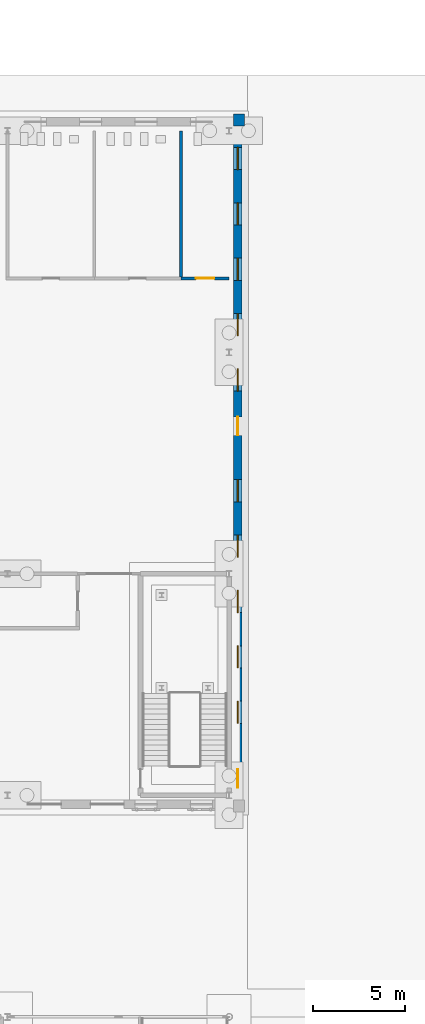
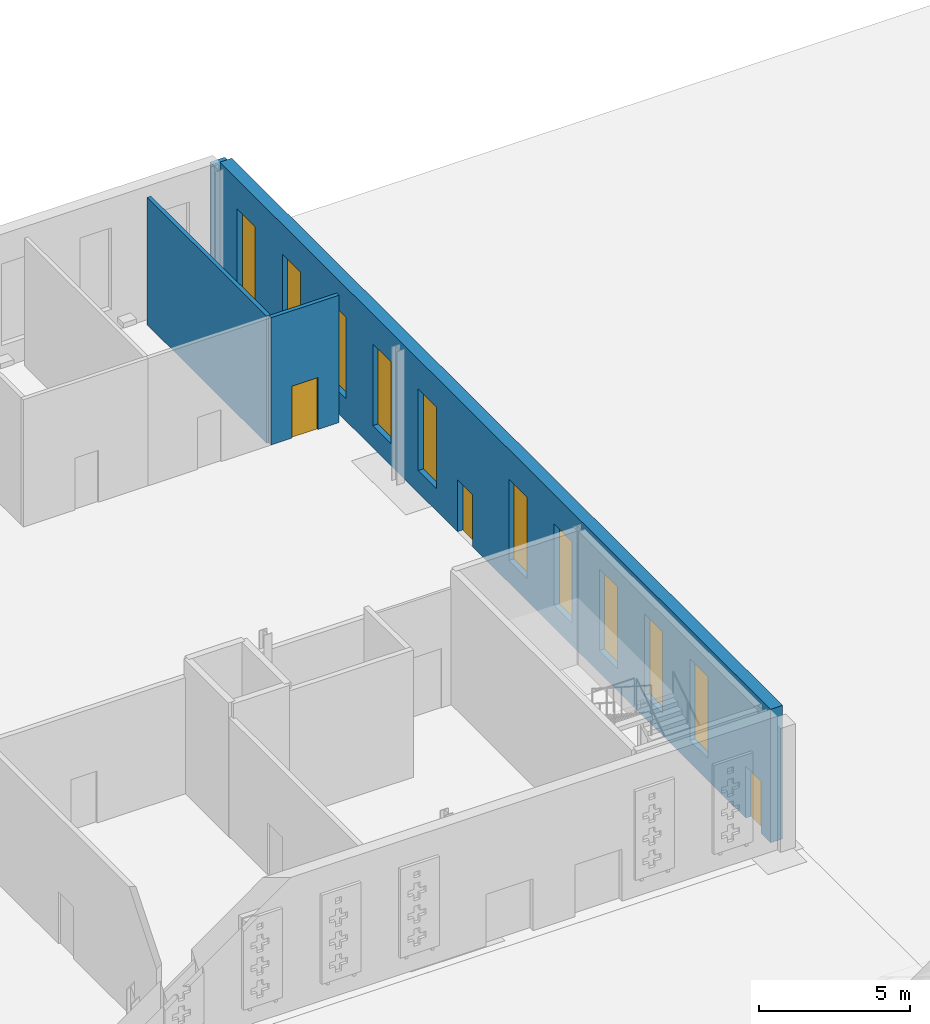
# One storey, part 88 of 132: 10 windows, 4 walls, 3 doors, 13 openings.
"""IFC4 building model written with IfcOpenShell, lengths in metres."""

from ifc_helpers import new_model, si_unit, direction, frame, frame_2d, origin, place, context, subcontext, project, spatial, rectangle, extrude, material, layer, layer_set, type_object, element, fill, save


model = new_model("IFC4")

# Units and contexts
model_context = context("Model", 3, precision=1e-05, world=origin(), true_north=direction((0.0, 1.0)))
body_context = subcontext(model_context, "Body", "Model", "MODEL_VIEW")
ifc_project = project(units=[si_unit("LENGTHUNIT", "METRE"), si_unit("AREAUNIT", "SQUARE_METRE"), si_unit("VOLUMEUNIT", "CUBIC_METRE"), si_unit("PLANEANGLEUNIT", "RADIAN"), si_unit("MASSUNIT", "GRAM", prefix="KILO")], contexts=[model_context])

# Site, building, storey
site_placement = place(None, origin())
site = spatial("IfcSite", under=ifc_project, at=site_placement, CompositionType="ELEMENT")
building_placement = place(site_placement, origin())
building = spatial("IfcBuilding", under=site, at=building_placement, Name="Ravi Spectrum Wholesale Market", CompositionType="ELEMENT")
storey_placement = place(building_placement, origin())
storey = spatial("IfcBuildingStorey", under=building, at=storey_placement, Name="L00", CompositionType="ELEMENT", Elevation=0.0)

# Wall, opening, door
ifc_material_1 = material(Name="Concrete blockwork", Category="masonry")
ifc_layer_1 = layer(ifc_material_1, 0.14990234375)
ifc_layer_set_1 = layer_set([ifc_layer_1], Name="Concrete blockwork")
wall_type_1 = type_object("IfcWallType", Name="Blockwork partition 150", PredefinedType="PARTITIONING", material=ifc_layer_set_1)
wall_1_placement = place(storey_placement, frame((195.39990234375, 226.0, 0.0), z_axis=(0.0, 0.0, 1.0), x_axis=(1.0, 0.0, 0.0)))
wall_1 = element("IfcWall", 1, at=wall_1_placement, inside=storey, type_object=wall_type_1, Name="AU-WL-L00-035", PredefinedType="PARTITIONING", context=body_context, shape_type="SweptSolid", body=[
    extrude(rectangle(XDim=2.60009765625, YDim=0.14990234375, at=frame_2d((1.300048828125, 0.0))), origin(), (0.0, 0.0, 1.0), 5.14990234375),
])
opening_1_placement = place(wall_1_placement, frame((0.800048828125, 0.0, 0.0)))
opening_1 = element("IfcOpeningElement", 2, at=opening_1_placement, cuts=wall_1, Name="Opening D402", PredefinedType="OPENING", context=body_context, shape_type="SweptSolid", body=[
    extrude(rectangle(XDim=1.0, YDim=2.10009765625, at=frame_2d((0.5, 1.050048828125))), frame((0.0, 0.0849609375, 0.0), z_axis=(0.0, -1.0, 0.0), x_axis=(1.0, 0.0, 0.0)), (0.0, 0.0, 1.0), 0.169921875),
])
ifc_material_2 = material(Name="Timber door", Category="wood")
door_type_1 = type_object("IfcDoorType", Name="Accessible toilet door 1000 x 2100", OperationType="SINGLE_SWING_LEFT", PredefinedType="DOOR", material=ifc_material_2)
door_1_placement = place(opening_1_placement, origin())
door_1 = element("IfcDoor", 3, at=door_1_placement, inside=storey, type_object=door_type_1, Name="Door D402", OperationType="SINGLE_SWING_RIGHT", OverallHeight=2.10009765625, OverallWidth=1.0, PredefinedType="DOOR", context=body_context, shape_type="SweptSolid", body=[
    extrude(rectangle(XDim=1.0, YDim=2.10009765625, at=frame_2d((0.5, 1.050048828125))), frame((0.0, 0.02490234375, 0.0), z_axis=(0.0, -1.0, 0.0), x_axis=(1.0, 0.0, 0.0)), (0.0, 0.0, 1.0), 0.050048828125),
])
fill(opening_1, door_1)

# Wall
wall_2_placement = place(storey_placement, frame((195.39990234375, 226.074951171875, 0.0), z_axis=(0.0, 0.0, 1.0), x_axis=(0.0, 1.0, 0.0)))
element("IfcWall", 4, at=wall_2_placement, inside=storey, type_object=wall_type_1, Name="AU-WL-L00-041", PredefinedType="PARTITIONING", context=body_context, shape_type="SweptSolid", body=[
    extrude(rectangle(XDim=7.925048828125, YDim=0.14990234375, at=frame_2d((3.96240234375, 0.0))), origin(), (0.0, 0.0, 1.0), 5.14990234375),
])

# Wall, openings, doors, windows
ifc_material_3 = material(Name="Clinker brickwork", Category="masonry")
ifc_layer_2 = layer(ifc_material_3, 0.4599609375)
ifc_layer_set_2 = layer_set([ifc_layer_2], Name="Clinker brickwork")
wall_type_2 = type_object("IfcWallType", Name="Brick 460 pier wall", PredefinedType="SOLIDWALL", material=ifc_layer_set_2)
wall_3_placement = place(storey_placement, frame((198.47998046875, 197.75, 0.0), z_axis=(0.0, 0.0, 1.0), x_axis=(0.0, 1.0, 0.0)))
wall_3 = element("IfcWall", 5, at=wall_3_placement, inside=storey, type_object=wall_type_2, Name="AU-WL-L00-020", PredefinedType="SOLIDWALL", context=body_context, shape_type="SweptSolid", body=[
    extrude(rectangle(XDim=36.5, YDim=0.4599609375, at=frame_2d((18.25, 0.0))), origin(), (0.0, 0.0, 1.0), 5.39990234375),
])
opening_2_placement = place(wall_3_placement, frame((1.64990234375, 0.0, 0.0), z_axis=(0.0, 0.0, 1.0), x_axis=(-1.0, 0.0, 0.0)))
opening_2 = element("IfcOpeningElement", 6, at=opening_2_placement, cuts=wall_3, Name="Opening D414", PredefinedType="OPENING", context=body_context, shape_type="SweptSolid", body=[
    extrude(rectangle(XDim=1.0, YDim=2.10009765625, at=frame_2d((0.5, 1.050048828125))), frame((0.0, 0.239990234375, 0.0), z_axis=(0.0, -1.0, 0.0), x_axis=(1.0, 0.0, 0.0)), (0.0, 0.0, 1.0), 0.47998046875),
])
opening_3_placement = place(wall_3_placement, frame((20.75, 0.0, 0.0), z_axis=(0.0, 0.0, 1.0), x_axis=(-1.0, 0.0, 0.0)))
opening_3 = element("IfcOpeningElement", 7, at=opening_3_placement, cuts=wall_3, Name="Opening D420", PredefinedType="OPENING", context=body_context, shape_type="SweptSolid", body=[
    extrude(rectangle(XDim=1.0, YDim=2.10009765625, at=frame_2d((0.5, 1.050048828125))), frame((0.0, 0.239990234375, 0.0), z_axis=(0.0, -1.0, 0.0), x_axis=(1.0, 0.0, 0.0)), (0.0, 0.0, 1.0), 0.47998046875),
])
opening_4_placement = place(wall_3_placement, frame((4.14990234375, 0.0, 0.89990234375)))
opening_4 = element("IfcOpeningElement", 8, at=opening_4_placement, cuts=wall_3, Name="Opening W2410", PredefinedType="OPENING", context=body_context, shape_type="SweptSolid", body=[
    extrude(rectangle(XDim=1.199951171875, YDim=3.300048828125, at=frame_2d((0.60009765625, 1.64990234375))), frame((0.0, 0.239990234375, 0.0), z_axis=(0.0, -1.0, 0.0), x_axis=(1.0, 0.0, 0.0)), (0.0, 0.0, 1.0), 0.47998046875),
])
opening_5_placement = place(wall_3_placement, frame((7.14990234375, 0.0, 0.89990234375)))
opening_5 = element("IfcOpeningElement", 9, at=opening_5_placement, cuts=wall_3, Name="Opening W2411", PredefinedType="OPENING", context=body_context, shape_type="SweptSolid", body=[
    extrude(rectangle(XDim=1.199951171875, YDim=3.300048828125, at=frame_2d((0.60009765625, 1.64990234375))), frame((0.0, 0.239990234375, 0.0), z_axis=(0.0, -1.0, 0.0), x_axis=(1.0, 0.0, 0.0)), (0.0, 0.0, 1.0), 0.47998046875),
])
opening_6_placement = place(wall_3_placement, frame((10.14990234375, 0.0, 0.89990234375)))
opening_6 = element("IfcOpeningElement", 10, at=opening_6_placement, cuts=wall_3, Name="Opening W2412", PredefinedType="OPENING", context=body_context, shape_type="SweptSolid", body=[
    extrude(rectangle(XDim=1.199951171875, YDim=3.300048828125, at=frame_2d((0.60009765625, 1.64990234375))), frame((0.0, 0.239990234375, 0.0), z_axis=(0.0, -1.0, 0.0), x_axis=(1.0, 0.0, 0.0)), (0.0, 0.0, 1.0), 0.47998046875),
])
opening_7_placement = place(wall_3_placement, frame((13.14990234375, 0.0, 0.89990234375)))
opening_7 = element("IfcOpeningElement", 11, at=opening_7_placement, cuts=wall_3, Name="Opening W2413", PredefinedType="OPENING", context=body_context, shape_type="SweptSolid", body=[
    extrude(rectangle(XDim=1.199951171875, YDim=3.300048828125, at=frame_2d((0.60009765625, 1.64990234375))), frame((0.0, 0.239990234375, 0.0), z_axis=(0.0, -1.0, 0.0), x_axis=(1.0, 0.0, 0.0)), (0.0, 0.0, 1.0), 0.47998046875),
])
opening_8_placement = place(wall_3_placement, frame((16.14990234375, 0.0, 0.89990234375)))
opening_8 = element("IfcOpeningElement", 12, at=opening_8_placement, cuts=wall_3, Name="Opening W2414", PredefinedType="OPENING", context=body_context, shape_type="SweptSolid", body=[
    extrude(rectangle(XDim=1.199951171875, YDim=3.300048828125, at=frame_2d((0.60009765625, 1.64990234375))), frame((0.0, 0.239990234375, 0.0), z_axis=(0.0, -1.0, 0.0), x_axis=(1.0, 0.0, 0.0)), (0.0, 0.0, 1.0), 0.47998046875),
])
opening_9_placement = place(wall_3_placement, frame((22.14990234375, 0.0, 0.89990234375)))
opening_9 = element("IfcOpeningElement", 13, at=opening_9_placement, cuts=wall_3, Name="Opening W2415", PredefinedType="OPENING", context=body_context, shape_type="SweptSolid", body=[
    extrude(rectangle(XDim=1.199951171875, YDim=3.300048828125, at=frame_2d((0.60009765625, 1.64990234375))), frame((0.0, 0.239990234375, 0.0), z_axis=(0.0, -1.0, 0.0), x_axis=(1.0, 0.0, 0.0)), (0.0, 0.0, 1.0), 0.47998046875),
])
opening_10_placement = place(wall_3_placement, frame((25.14990234375, 0.0, 0.89990234375)))
opening_10 = element("IfcOpeningElement", 14, at=opening_10_placement, cuts=wall_3, Name="Opening W2416", PredefinedType="OPENING", context=body_context, shape_type="SweptSolid", body=[
    extrude(rectangle(XDim=1.199951171875, YDim=3.300048828125, at=frame_2d((0.60009765625, 1.64990234375))), frame((0.0, 0.239990234375, 0.0), z_axis=(0.0, -1.0, 0.0), x_axis=(1.0, 0.0, 0.0)), (0.0, 0.0, 1.0), 0.47998046875),
])
opening_11_placement = place(wall_3_placement, frame((28.14990234375, 0.0, 0.89990234375)))
opening_11 = element("IfcOpeningElement", 15, at=opening_11_placement, cuts=wall_3, Name="Opening W2417", PredefinedType="OPENING", context=body_context, shape_type="SweptSolid", body=[
    extrude(rectangle(XDim=1.199951171875, YDim=3.300048828125, at=frame_2d((0.60009765625, 1.64990234375))), frame((0.0, 0.239990234375, 0.0), z_axis=(0.0, -1.0, 0.0), x_axis=(1.0, 0.0, 0.0)), (0.0, 0.0, 1.0), 0.47998046875),
])
opening_12_placement = place(wall_3_placement, frame((31.14990234375, 0.0, 0.89990234375)))
opening_12 = element("IfcOpeningElement", 16, at=opening_12_placement, cuts=wall_3, Name="Opening W2418", PredefinedType="OPENING", context=body_context, shape_type="SweptSolid", body=[
    extrude(rectangle(XDim=1.199951171875, YDim=3.300048828125, at=frame_2d((0.60009765625, 1.64990234375))), frame((0.0, 0.239990234375, 0.0), z_axis=(0.0, -1.0, 0.0), x_axis=(1.0, 0.0, 0.0)), (0.0, 0.0, 1.0), 0.47998046875),
])
opening_13_placement = place(wall_3_placement, frame((34.14990234375, 0.0, 0.89990234375)))
opening_13 = element("IfcOpeningElement", 17, at=opening_13_placement, cuts=wall_3, Name="Opening W2419", PredefinedType="OPENING", context=body_context, shape_type="SweptSolid", body=[
    extrude(rectangle(XDim=1.199951171875, YDim=3.300048828125, at=frame_2d((0.60009765625, 1.64990234375))), frame((0.0, 0.239990234375, 0.0), z_axis=(0.0, -1.0, 0.0), x_axis=(1.0, 0.0, 0.0)), (0.0, 0.0, 1.0), 0.47998046875),
])
ifc_material_4 = material(Name="Steel door", Category="steel")
door_type_2 = type_object("IfcDoorType", Name="Pedestrian exit door 1000 x 2100", OperationType="SINGLE_SWING_LEFT", PredefinedType="DOOR", material=ifc_material_4)
door_2_placement = place(opening_2_placement, origin())
door_2 = element("IfcDoor", 18, at=door_2_placement, inside=storey, type_object=door_type_2, Name="Door D414", OperationType="SINGLE_SWING_RIGHT", OverallHeight=2.10009765625, OverallWidth=1.0, PredefinedType="DOOR", context=body_context, shape_type="SweptSolid", body=[
    extrude(rectangle(XDim=1.0, YDim=2.10009765625, at=frame_2d((0.5, 1.050048828125))), frame((0.0, 0.02490234375, 0.0), z_axis=(0.0, -1.0, 0.0), x_axis=(1.0, 0.0, 0.0)), (0.0, 0.0, 1.0), 0.050048828125),
])
fill(opening_2, door_2)
door_3_placement = place(opening_3_placement, origin())
door_3 = element("IfcDoor", 19, at=door_3_placement, inside=storey, type_object=door_type_2, Name="Door D420", OperationType="SINGLE_SWING_LEFT", OverallHeight=2.10009765625, OverallWidth=1.0, PredefinedType="DOOR", context=body_context, shape_type="SweptSolid", body=[
    extrude(rectangle(XDim=1.0, YDim=2.10009765625, at=frame_2d((0.5, 1.050048828125))), frame((0.0, 0.02490234375, 0.0), z_axis=(0.0, -1.0, 0.0), x_axis=(1.0, 0.0, 0.0)), (0.0, 0.0, 1.0), 0.050048828125),
])
fill(opening_3, door_3)
ifc_material_5 = material(Name="Steel window frame", Category="steel")
window_type = type_object("IfcWindowType", Name="Tall pier window 1200 x 3300", PartitioningType="SINGLE_PANEL", PredefinedType="WINDOW", material=ifc_material_5)
window_1_placement = place(opening_4_placement, origin())
window_1 = element("IfcWindow", 20, at=window_1_placement, inside=storey, type_object=window_type, Name="Window W2410", OverallHeight=3.300048828125, OverallWidth=1.199951171875, PartitioningType="SINGLE_PANEL", PredefinedType="WINDOW", context=body_context, shape_type="SweptSolid", body=[
    extrude(rectangle(XDim=1.199951171875, YDim=3.300048828125, at=frame_2d((0.60009765625, 1.64990234375))), frame((0.0, 0.030029296875, 0.0), z_axis=(0.0, -1.0, 0.0), x_axis=(1.0, 0.0, 0.0)), (0.0, 0.0, 1.0), 0.06005859375),
])
fill(opening_4, window_1)
window_2_placement = place(opening_5_placement, origin())
window_2 = element("IfcWindow", 21, at=window_2_placement, inside=storey, type_object=window_type, Name="Window W2411", OverallHeight=3.300048828125, OverallWidth=1.199951171875, PartitioningType="SINGLE_PANEL", PredefinedType="WINDOW", context=body_context, shape_type="SweptSolid", body=[
    extrude(rectangle(XDim=1.199951171875, YDim=3.300048828125, at=frame_2d((0.60009765625, 1.64990234375))), frame((0.0, 0.030029296875, 0.0), z_axis=(0.0, -1.0, 0.0), x_axis=(1.0, 0.0, 0.0)), (0.0, 0.0, 1.0), 0.06005859375),
])
fill(opening_5, window_2)
window_3_placement = place(opening_6_placement, origin())
window_3 = element("IfcWindow", 22, at=window_3_placement, inside=storey, type_object=window_type, Name="Window W2412", OverallHeight=3.300048828125, OverallWidth=1.199951171875, PartitioningType="SINGLE_PANEL", PredefinedType="WINDOW", context=body_context, shape_type="SweptSolid", body=[
    extrude(rectangle(XDim=1.199951171875, YDim=3.300048828125, at=frame_2d((0.60009765625, 1.64990234375))), frame((0.0, 0.030029296875, 0.0), z_axis=(0.0, -1.0, 0.0), x_axis=(1.0, 0.0, 0.0)), (0.0, 0.0, 1.0), 0.06005859375),
])
fill(opening_6, window_3)
window_4_placement = place(opening_7_placement, origin())
window_4 = element("IfcWindow", 23, at=window_4_placement, inside=storey, type_object=window_type, Name="Window W2413", OverallHeight=3.300048828125, OverallWidth=1.199951171875, PartitioningType="SINGLE_PANEL", PredefinedType="WINDOW", context=body_context, shape_type="SweptSolid", body=[
    extrude(rectangle(XDim=1.199951171875, YDim=3.300048828125, at=frame_2d((0.60009765625, 1.64990234375))), frame((0.0, 0.030029296875, 0.0), z_axis=(0.0, -1.0, 0.0), x_axis=(1.0, 0.0, 0.0)), (0.0, 0.0, 1.0), 0.06005859375),
])
fill(opening_7, window_4)
window_5_placement = place(opening_8_placement, origin())
window_5 = element("IfcWindow", 24, at=window_5_placement, inside=storey, type_object=window_type, Name="Window W2414", OverallHeight=3.300048828125, OverallWidth=1.199951171875, PartitioningType="SINGLE_PANEL", PredefinedType="WINDOW", context=body_context, shape_type="SweptSolid", body=[
    extrude(rectangle(XDim=1.199951171875, YDim=3.300048828125, at=frame_2d((0.60009765625, 1.64990234375))), frame((0.0, 0.030029296875, 0.0), z_axis=(0.0, -1.0, 0.0), x_axis=(1.0, 0.0, 0.0)), (0.0, 0.0, 1.0), 0.06005859375),
])
fill(opening_8, window_5)
window_6_placement = place(opening_9_placement, origin())
window_6 = element("IfcWindow", 25, at=window_6_placement, inside=storey, type_object=window_type, Name="Window W2415", OverallHeight=3.300048828125, OverallWidth=1.199951171875, PartitioningType="SINGLE_PANEL", PredefinedType="WINDOW", context=body_context, shape_type="SweptSolid", body=[
    extrude(rectangle(XDim=1.199951171875, YDim=3.300048828125, at=frame_2d((0.60009765625, 1.64990234375))), frame((0.0, 0.030029296875, 0.0), z_axis=(0.0, -1.0, 0.0), x_axis=(1.0, 0.0, 0.0)), (0.0, 0.0, 1.0), 0.06005859375),
])
fill(opening_9, window_6)
window_7_placement = place(opening_10_placement, origin())
window_7 = element("IfcWindow", 26, at=window_7_placement, inside=storey, type_object=window_type, Name="Window W2416", OverallHeight=3.300048828125, OverallWidth=1.199951171875, PartitioningType="SINGLE_PANEL", PredefinedType="WINDOW", context=body_context, shape_type="SweptSolid", body=[
    extrude(rectangle(XDim=1.199951171875, YDim=3.300048828125, at=frame_2d((0.60009765625, 1.64990234375))), frame((0.0, 0.030029296875, 0.0), z_axis=(0.0, -1.0, 0.0), x_axis=(1.0, 0.0, 0.0)), (0.0, 0.0, 1.0), 0.06005859375),
])
fill(opening_10, window_7)
window_8_placement = place(opening_11_placement, origin())
window_8 = element("IfcWindow", 27, at=window_8_placement, inside=storey, type_object=window_type, Name="Window W2417", OverallHeight=3.300048828125, OverallWidth=1.199951171875, PartitioningType="SINGLE_PANEL", PredefinedType="WINDOW", context=body_context, shape_type="SweptSolid", body=[
    extrude(rectangle(XDim=1.199951171875, YDim=3.300048828125, at=frame_2d((0.60009765625, 1.64990234375))), frame((0.0, 0.030029296875, 0.0), z_axis=(0.0, -1.0, 0.0), x_axis=(1.0, 0.0, 0.0)), (0.0, 0.0, 1.0), 0.06005859375),
])
fill(opening_11, window_8)
window_9_placement = place(opening_12_placement, origin())
window_9 = element("IfcWindow", 28, at=window_9_placement, inside=storey, type_object=window_type, Name="Window W2418", OverallHeight=3.300048828125, OverallWidth=1.199951171875, PartitioningType="SINGLE_PANEL", PredefinedType="WINDOW", context=body_context, shape_type="SweptSolid", body=[
    extrude(rectangle(XDim=1.199951171875, YDim=3.300048828125, at=frame_2d((0.60009765625, 1.64990234375))), frame((0.0, 0.030029296875, 0.0), z_axis=(0.0, -1.0, 0.0), x_axis=(1.0, 0.0, 0.0)), (0.0, 0.0, 1.0), 0.06005859375),
])
fill(opening_12, window_9)
window_10_placement = place(opening_13_placement, origin())
window_10 = element("IfcWindow", 29, at=window_10_placement, inside=storey, type_object=window_type, Name="Window W2419", OverallHeight=3.300048828125, OverallWidth=1.199951171875, PartitioningType="SINGLE_PANEL", PredefinedType="WINDOW", context=body_context, shape_type="SweptSolid", body=[
    extrude(rectangle(XDim=1.199951171875, YDim=3.300048828125, at=frame_2d((0.60009765625, 1.64990234375))), frame((0.0, 0.030029296875, 0.0), z_axis=(0.0, -1.0, 0.0), x_axis=(1.0, 0.0, 0.0)), (0.0, 0.0, 1.0), 0.06005859375),
])
fill(opening_13, window_10)

# Wall
ifc_material_6 = material(Name="Clinker brickwork", Category="masonry")
ifc_layer_3 = layer(ifc_material_6, 0.64501953125)
ifc_layer_set_3 = layer_set([ifc_layer_3], Name="Clinker brickwork")
wall_type_3 = type_object("IfcWallType", Name="Brick pier 645", PredefinedType="SOLIDWALL", material=ifc_layer_set_3)
wall_4_placement = place(storey_placement, frame((198.25, 234.572509765625, 0.0), z_axis=(0.0, 0.0, 1.0), x_axis=(1.0, 0.0, 0.0)))
element("IfcWall", 30, at=wall_4_placement, inside=storey, type_object=wall_type_3, Name="AU-WL-L00-007", PredefinedType="SOLIDWALL", context=body_context, shape_type="SweptSolid", body=[
    extrude(rectangle(XDim=0.574951171875, YDim=0.64501953125, at=frame_2d((0.28759765625, 0.0))), origin(), (0.0, 0.0, 1.0), 5.010009765625),
])

save(model, "model.ifc")
